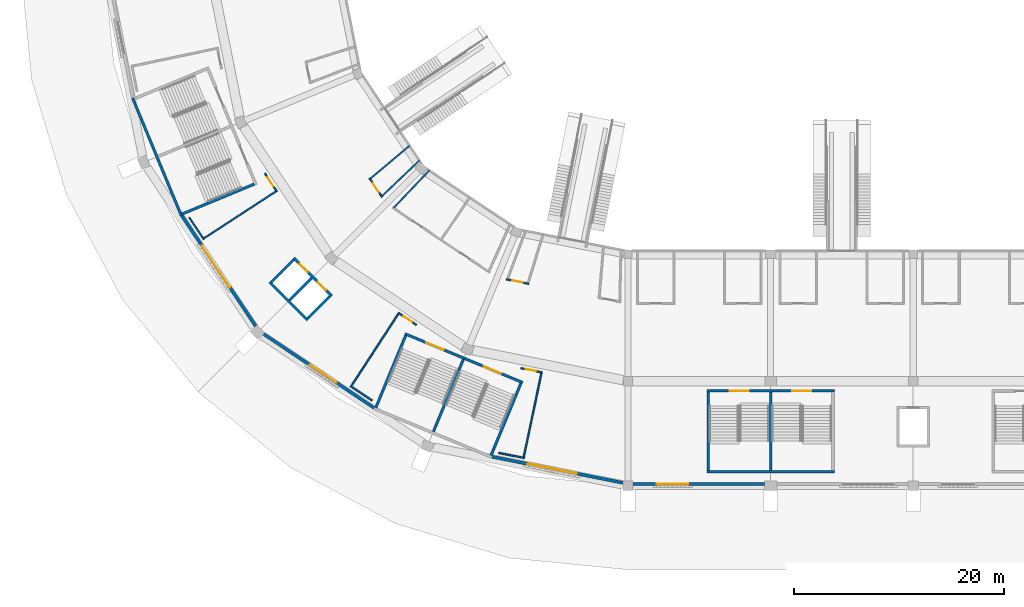
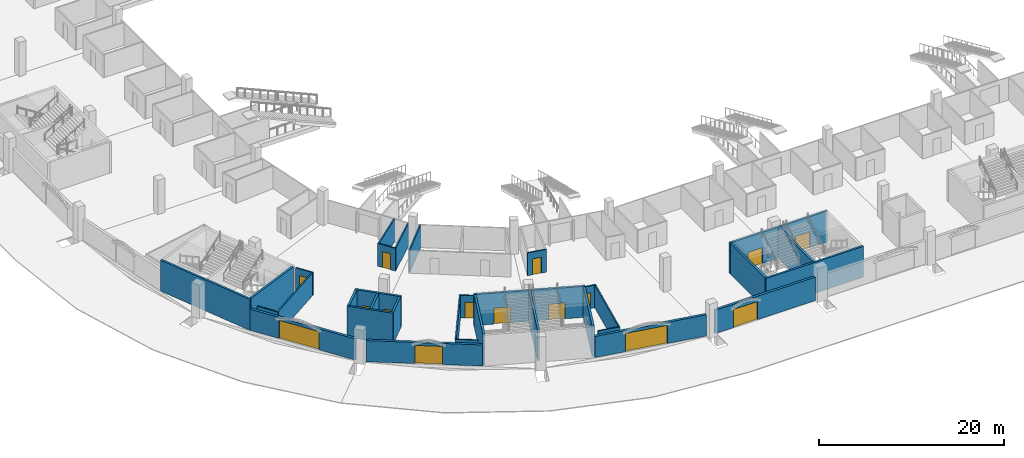
# One storey, part 25 of 175: 33 walls, 15 doors, 15 openings.
"""IFC4 building model written with IfcOpenShell, lengths in metres."""

from ifc_helpers import new_model, si_unit, direction, frame, frame_2d, origin, place, context, subcontext, project, spatial, rectangle, extrude, material, layer, layer_set, type_object, element, fill, save


model = new_model("IFC4")

# Units and contexts
model_context = context("Model", 3, precision=1e-05, world=origin(), true_north=direction((0.0, 1.0)))
body_context = subcontext(model_context, "Body", "Model", "MODEL_VIEW")
ifc_project = project(units=[si_unit("LENGTHUNIT", "METRE"), si_unit("AREAUNIT", "SQUARE_METRE"), si_unit("VOLUMEUNIT", "CUBIC_METRE"), si_unit("PLANEANGLEUNIT", "RADIAN"), si_unit("MASSUNIT", "GRAM", prefix="KILO")], contexts=[model_context])

# Site, building, storey
site_placement = place(None, origin())
site = spatial("IfcSite", under=ifc_project, at=site_placement, CompositionType="ELEMENT")
building_placement = place(site_placement, origin())
building = spatial("IfcBuilding", under=site, at=building_placement, Name="Ogive Plaza Stadium", CompositionType="ELEMENT")
storey_placement = place(building_placement, origin())
storey = spatial("IfcBuildingStorey", under=building, at=storey_placement, Name="L00", CompositionType="ELEMENT", Elevation=0.0)

# Wall, opening, door
ifc_material_1 = material(Name="Masonry blockwork", Category="masonry")
ifc_layer_1 = layer(ifc_material_1, 0.14990234375)
ifc_layer_set_1 = layer_set([ifc_layer_1], Name="Blockwork wall 150")
wall_type_1 = type_object("IfcWallType", Name="Blockwork wall 150", PredefinedType="SOLIDWALL", material=ifc_layer_set_1)
wall_1_placement = place(storey_placement, frame((-45.59912109375, -82.792724609375, 0.0), z_axis=(0.0, 0.0, 1.0), x_axis=(0.980788176969, -0.195075759432, 0.0)))
wall_1 = element("IfcWall", 1, at=wall_1_placement, inside=storey, type_object=wall_type_1, Name="Wall L00 B17", PredefinedType="SOLIDWALL", context=body_context, shape_type="SweptSolid", body=[
    extrude(rectangle(XDim=2.166259765625, YDim=0.14990234375, at=frame_2d((1.0830078125, 0.0))), origin(), (0.0, 0.0, 1.0), 3.0),
])
opening_1_placement = place(wall_1_placement, frame((0.583251953125, 0.0, 0.0)))
opening_1 = element("IfcOpeningElement", 2, at=opening_1_placement, cuts=wall_1, Name="Opening D0411", PredefinedType="OPENING", context=body_context, shape_type="SweptSolid", body=[
    extrude(rectangle(XDim=1.0, YDim=2.10009765625, at=frame_2d((0.5, 1.050048828125))), frame((0.0, 0.074951171875, 0.0), z_axis=(0.0, -1.0, 0.0), x_axis=(1.0, 0.0, 0.0)), (0.0, 0.0, 1.0), 0.14990234375),
])
ifc_material_2 = material(Name="Steel ASTM A572 Grade 50", Category="steel")
door_type_1 = type_object("IfcDoorType", Name="Door 1000 x 2100", OperationType="SINGLE_SWING_LEFT", PredefinedType="DOOR", material=ifc_material_2)
door_1_placement = place(opening_1_placement, origin())
door_1 = element("IfcDoor", 3, at=door_1_placement, inside=storey, type_object=door_type_1, Name="Concession Stand B17 door", OperationType="SINGLE_SWING_RIGHT", OverallHeight=2.10009765625, OverallWidth=1.0, PredefinedType="DOOR", context=body_context, shape_type="SweptSolid", body=[
    extrude(rectangle(XDim=1.0, YDim=2.10009765625, at=frame_2d((0.5, 1.050048828125))), frame((0.0, 0.02490234375, 0.0), z_axis=(0.0, -1.0, 0.0), x_axis=(1.0, 0.0, 0.0)), (0.0, 0.0, 1.0), 0.050048828125),
])
fill(opening_1, door_1)

# Wall
wall_2_placement = place(storey_placement, frame((-52.948974609375, -72.39501953125, 0.0), z_axis=(0.0, 0.0, 1.0), x_axis=(-0.689667606383, -0.724126088955, 0.0)))
element("IfcWall", 4, at=wall_2_placement, inside=storey, type_object=wall_type_1, Name="Wall L00 B18", PredefinedType="SOLIDWALL", context=body_context, shape_type="SweptSolid", body=[
    extrude(rectangle(XDim=4.90283203125, YDim=0.14990234375, at=frame_2d((2.451416015625, 0.0))), origin(), (0.0, 0.0, 1.0), 3.0),
])

# Wall, opening, door
wall_3_placement = place(storey_placement, frame((-54.188232421875, -87.1376953125, 0.0), z_axis=(0.0, 0.0, 1.0), x_axis=(-0.831435859109, 0.555620744921, 0.0)))
wall_3 = element("IfcWall", 5, at=wall_3_placement, inside=storey, type_object=wall_type_1, Name="Wall L00 B18", PredefinedType="SOLIDWALL", context=body_context, shape_type="SweptSolid", body=[
    extrude(rectangle(XDim=2.080078125, YDim=0.14990234375, at=frame_2d((1.0400390625, 0.0))), origin(), (0.0, 0.0, 1.0), 3.0),
])
opening_2_placement = place(wall_3_placement, frame((0.47216796875, 0.0, 0.0)))
opening_2 = element("IfcOpeningElement", 6, at=opening_2_placement, cuts=wall_3, Name="Opening D0416", PredefinedType="OPENING", context=body_context, shape_type="SweptSolid", body=[
    extrude(rectangle(XDim=1.0, YDim=2.10009765625, at=frame_2d((0.5, 1.050048828125))), frame((0.0, 0.074951171875, 0.0), z_axis=(0.0, -1.0, 0.0), x_axis=(1.0, 0.0, 0.0)), (0.0, 0.0, 1.0), 0.14990234375),
])
ifc_material_3 = material(Name="Steel ASTM A572 Grade 50", Category="steel")
door_type_2 = type_object("IfcDoorType", Name="Fire door FD60 1000 x 2100", OperationType="SINGLE_SWING_LEFT", PredefinedType="DOOR", material=ifc_material_3)
door_2_placement = place(opening_2_placement, origin())
door_2 = element("IfcDoor", 7, at=door_2_placement, inside=storey, type_object=door_type_2, Name="Merchandise Store B18 door", OperationType="SINGLE_SWING_RIGHT", OverallHeight=2.10009765625, OverallWidth=1.0, PredefinedType="DOOR", context=body_context, shape_type="SweptSolid", body=[
    extrude(rectangle(XDim=1.0, YDim=2.10009765625, at=frame_2d((0.5, 1.050048828125))), frame((0.0, 0.02490234375, 0.0), z_axis=(0.0, -1.0, 0.0), x_axis=(1.0, 0.0, 0.0)), (0.0, 0.0, 1.0), 0.050048828125),
])
fill(opening_2, door_2)

# Walls
wall_4_placement = place(storey_placement, frame((-58.39404296875, -94.353759765625, 0.0), z_axis=(0.0, 0.0, 1.0), x_axis=(-0.83145207432, 0.555596479569, 0.0)))
element("IfcWall", 8, at=wall_4_placement, inside=storey, type_object=wall_type_1, Name="Wall L00 B18", PredefinedType="SOLIDWALL", context=body_context, shape_type="SweptSolid", body=[
    extrude(rectangle(XDim=2.513427734375, YDim=0.14990234375, at=frame_2d((1.2568359375, 0.0))), origin(), (0.0, 0.0, 1.0), 3.0),
])
wall_5_placement = place(storey_placement, frame((-55.901611328125, -86.081298828125, 0.0), z_axis=(0.0, 0.0, 1.0), x_axis=(-0.546272327191, -0.837607631618, 0.0)))
element("IfcWall", 9, at=wall_5_placement, inside=storey, type_object=wall_type_1, Name="Wall L00 B18", PredefinedType="SOLIDWALL", context=body_context, shape_type="SweptSolid", body=[
    extrude(rectangle(XDim=8.18994140625, YDim=0.14990234375, at=frame_2d((4.094970703125, 0.0))), origin(), (0.0, 0.0, 1.0), 3.0),
])

# Wall, opening, door
wall_6_placement = place(storey_placement, frame((-68.6376953125, -72.688232421875, 0.0), z_axis=(0.0, 0.0, 1.0), x_axis=(0.555620744921, -0.831435859109, 0.0)))
wall_6 = element("IfcWall", 10, at=wall_6_placement, inside=storey, type_object=wall_type_1, Name="Wall L00 B19", PredefinedType="SOLIDWALL", context=body_context, shape_type="SweptSolid", body=[
    extrude(rectangle(XDim=2.080078125, YDim=0.14990234375, at=frame_2d((1.0400390625, 0.0))), origin(), (0.0, 0.0, 1.0), 3.0),
])
opening_3_placement = place(wall_6_placement, frame((0.47216796875, 0.0, 0.0)))
opening_3 = element("IfcOpeningElement", 11, at=opening_3_placement, cuts=wall_6, Name="Opening D0418", PredefinedType="OPENING", context=body_context, shape_type="SweptSolid", body=[
    extrude(rectangle(XDim=1.0, YDim=2.10009765625, at=frame_2d((0.5, 1.050048828125))), frame((0.0, 0.074951171875, 0.0), z_axis=(0.0, -1.0, 0.0), x_axis=(1.0, 0.0, 0.0)), (0.0, 0.0, 1.0), 0.14990234375),
])
door_3_placement = place(opening_3_placement, origin())
door_3 = element("IfcDoor", 12, at=door_3_placement, inside=storey, type_object=door_type_2, Name="Concession Store B19 door", OperationType="SINGLE_SWING_LEFT", OverallHeight=2.10009765625, OverallWidth=1.0, PredefinedType="DOOR", context=body_context, shape_type="SweptSolid", body=[
    extrude(rectangle(XDim=1.0, YDim=2.10009765625, at=frame_2d((0.5, 1.050048828125))), frame((0.0, 0.02490234375, 0.0), z_axis=(0.0, -1.0, 0.0), x_axis=(1.0, 0.0, 0.0)), (0.0, 0.0, 1.0), 0.050048828125),
])
fill(opening_3, door_3)

# Walls
wall_7_placement = place(storey_placement, frame((-75.853759765625, -76.89404296875, 0.0), z_axis=(0.0, 0.0, 1.0), x_axis=(0.555596479569, -0.83145207432, 0.0)))
element("IfcWall", 13, at=wall_7_placement, inside=storey, type_object=wall_type_1, Name="Wall L00 B19", PredefinedType="SOLIDWALL", context=body_context, shape_type="SweptSolid", body=[
    extrude(rectangle(XDim=2.513427734375, YDim=0.14990234375, at=frame_2d((1.2568359375, 0.0))), origin(), (0.0, 0.0, 1.0), 3.0),
])
wall_8_placement = place(storey_placement, frame((-67.581298828125, -74.401611328125, 0.0), z_axis=(0.0, 0.0, 1.0), x_axis=(-0.837607631618, -0.546272327191, 0.0)))
element("IfcWall", 14, at=wall_8_placement, inside=storey, type_object=wall_type_1, Name="Wall L00 B19", PredefinedType="SOLIDWALL", context=body_context, shape_type="SweptSolid", body=[
    extrude(rectangle(XDim=8.18994140625, YDim=0.14990234375, at=frame_2d((4.094970703125, 0.0))), origin(), (0.0, 0.0, 1.0), 3.0),
])

# Wall, openings, doors
ifc_material_4 = material(Name="Concrete C40/50", Category="concrete")
ifc_layer_2 = layer(ifc_material_4, 0.25)
ifc_layer_set_2 = layer_set([ifc_layer_2], Name="Concrete C40/50")
wall_type_2 = type_object("IfcWallType", Name="Core wall 250", PredefinedType="SHEAR", material=ifc_layer_set_2)
wall_9_placement = place(storey_placement, frame((-26.47509765625, -93.425048828125, 0.0), z_axis=(0.0, 0.0, 1.0), x_axis=(1.0, 0.0, 0.0)))
wall_9 = element("IfcWall", 15, at=wall_9_placement, inside=storey, type_object=wall_type_2, Name="Stair core R16 inner wall", PredefinedType="SHEAR", context=body_context, shape_type="SweptSolid", body=[
    extrude(rectangle(XDim=12.150146484375, YDim=0.25, at=frame_2d((6.0751953125, 0.0))), origin(), (0.0, 0.0, 1.0), 4.090087890625),
])
opening_4_placement = place(wall_9_placement, frame((2.199951171875, 0.0, 0.0)))
opening_4 = element("IfcOpeningElement", 16, at=opening_4_placement, cuts=wall_9, Name="Opening D0133", PredefinedType="OPENING", context=body_context, shape_type="SweptSolid", body=[
    extrude(rectangle(XDim=1.800048828125, YDim=2.10009765625, at=frame_2d((0.89990234375, 1.050048828125))), frame((0.0, 0.125, 0.0), z_axis=(0.0, -1.0, 0.0), x_axis=(1.0, 0.0, 0.0)), (0.0, 0.0, 1.0), 0.25),
])
opening_5_placement = place(wall_9_placement, frame((8.14990234375, 0.0, 0.0)))
opening_5 = element("IfcOpeningElement", 17, at=opening_5_placement, cuts=wall_9, Name="Opening D0134", PredefinedType="OPENING", context=body_context, shape_type="SweptSolid", body=[
    extrude(rectangle(XDim=1.800048828125, YDim=2.10009765625, at=frame_2d((0.89990234375, 1.050048828125))), frame((0.0, 0.125, 0.0), z_axis=(0.0, -1.0, 0.0), x_axis=(1.0, 0.0, 0.0)), (0.0, 0.0, 1.0), 0.25),
])
ifc_material_5 = material(Name="Steel ASTM A572 Grade 50", Category="steel")
door_type_3 = type_object("IfcDoorType", Name="Fire door FD90 pair 1800 x 2100", OperationType="DOUBLE_DOOR_SINGLE_SWING", PredefinedType="DOOR", material=ifc_material_5)
door_4_placement = place(opening_4_placement, origin())
door_4 = element("IfcDoor", 18, at=door_4_placement, inside=storey, type_object=door_type_3, Name="Exit stair R16A door L00", OperationType="DOUBLE_DOOR_SINGLE_SWING", OverallHeight=2.10009765625, OverallWidth=1.800048828125, PredefinedType="DOOR", context=body_context, shape_type="SweptSolid", body=[
    extrude(rectangle(XDim=1.800048828125, YDim=2.10009765625, at=frame_2d((0.89990234375, 1.050048828125))), frame((0.0, 0.02490234375, 0.0), z_axis=(0.0, -1.0, 0.0), x_axis=(1.0, 0.0, 0.0)), (0.0, 0.0, 1.0), 0.050048828125),
])
fill(opening_4, door_4)
door_5_placement = place(opening_5_placement, origin())
door_5 = element("IfcDoor", 19, at=door_5_placement, inside=storey, type_object=door_type_3, Name="Exit stair R16B door L00", OperationType="DOUBLE_DOOR_SINGLE_SWING", OverallHeight=2.10009765625, OverallWidth=1.800048828125, PredefinedType="DOOR", context=body_context, shape_type="SweptSolid", body=[
    extrude(rectangle(XDim=1.800048828125, YDim=2.10009765625, at=frame_2d((0.89990234375, 1.050048828125))), frame((0.0, 0.02490234375, 0.0), z_axis=(0.0, -1.0, 0.0), x_axis=(1.0, 0.0, 0.0)), (0.0, 0.0, 1.0), 0.050048828125),
])
fill(opening_5, door_5)

# Walls
wall_10_placement = place(storey_placement, frame((-26.47509765625, -101.135009765625, 0.0), z_axis=(0.0, 0.0, 1.0), x_axis=(1.0, 0.0, 0.0)))
element("IfcWall", 20, at=wall_10_placement, inside=storey, type_object=wall_type_2, Name="Stair core R16 outer wall", PredefinedType="SHEAR", context=body_context, shape_type="SweptSolid", body=[
    extrude(rectangle(XDim=12.150146484375, YDim=0.25, at=frame_2d((6.0751953125, 0.0))), origin(), (0.0, 0.0, 1.0), 4.090087890625),
])
for number, where, z_axis, x_axis, name in (
    (21, (-26.35009765625, -93.550048828125, 0.0), (0.0, 0.0, 1.0), (0.0, -1.0, 0.0), "Stair core R16 side wall"),
    (22, (-20.39990234375, -93.550048828125, 0.0), (0.0, 0.0, 1.0), (0.0, -1.0, 0.0), "Stair core R16 centre wall"),
):
    element("IfcWall", number, at=place(storey_placement, frame(where, z_axis=z_axis, x_axis=x_axis)), inside=storey, type_object=wall_type_2, Name=name, PredefinedType="SHEAR", context=body_context, shape_type="SweptSolid", body=[
        extrude(rectangle(XDim=7.4599609375, YDim=0.25, at=frame_2d((3.72998046875, 0.0))), origin(), (0.0, 0.0, 1.0), 4.090087890625),
    ])

# Wall, openings, doors
wall_11_placement = place(storey_placement, frame((-55.27392578125, -87.98486328125, 0.0), z_axis=(0.0, 0.0, 1.0), x_axis=(0.923877480578, -0.382688386133, 0.0)))
wall_11 = element("IfcWall", 23, at=wall_11_placement, inside=storey, type_object=wall_type_2, Name="Stair core R18 inner wall", PredefinedType="SHEAR", context=body_context, shape_type="SweptSolid", body=[
    extrude(rectangle(XDim=12.14990234375, YDim=0.25, at=frame_2d((6.074951171875, 0.0))), origin(), (0.0, 0.0, 1.0), 4.090087890625),
])
opening_6_placement = place(wall_11_placement, frame((2.199951171875, 0.0, 0.0)))
opening_6 = element("IfcOpeningElement", 24, at=opening_6_placement, cuts=wall_11, Name="Opening D0145", PredefinedType="OPENING", context=body_context, shape_type="SweptSolid", body=[
    extrude(rectangle(XDim=1.800048828125, YDim=2.10009765625, at=frame_2d((0.89990234375, 1.050048828125))), frame((0.0, 0.125, 0.0), z_axis=(0.0, -1.0, 0.0), x_axis=(1.0, 0.0, 0.0)), (0.0, 0.0, 1.0), 0.25),
])
opening_7_placement = place(wall_11_placement, frame((8.14990234375, 0.0, 0.0)))
opening_7 = element("IfcOpeningElement", 25, at=opening_7_placement, cuts=wall_11, Name="Opening D0146", PredefinedType="OPENING", context=body_context, shape_type="SweptSolid", body=[
    extrude(rectangle(XDim=1.800048828125, YDim=2.10009765625, at=frame_2d((0.89990234375, 1.050048828125))), frame((0.0, 0.125, 0.0), z_axis=(0.0, -1.0, 0.0), x_axis=(1.0, 0.0, 0.0)), (0.0, 0.0, 1.0), 0.25),
])
door_6_placement = place(opening_6_placement, origin())
door_6 = element("IfcDoor", 26, at=door_6_placement, inside=storey, type_object=door_type_3, Name="Exit stair R18A door L00", OperationType="DOUBLE_DOOR_SINGLE_SWING", OverallHeight=2.10009765625, OverallWidth=1.800048828125, PredefinedType="DOOR", context=body_context, shape_type="SweptSolid", body=[
    extrude(rectangle(XDim=1.800048828125, YDim=2.10009765625, at=frame_2d((0.89990234375, 1.050048828125))), frame((0.0, 0.02490234375, 0.0), z_axis=(0.0, -1.0, 0.0), x_axis=(1.0, 0.0, 0.0)), (0.0, 0.0, 1.0), 0.050048828125),
])
fill(opening_6, door_6)
door_7_placement = place(opening_7_placement, origin())
door_7 = element("IfcDoor", 27, at=door_7_placement, inside=storey, type_object=door_type_3, Name="Exit stair R18B door L00", OperationType="DOUBLE_DOOR_SINGLE_SWING", OverallHeight=2.10009765625, OverallWidth=1.800048828125, PredefinedType="DOOR", context=body_context, shape_type="SweptSolid", body=[
    extrude(rectangle(XDim=1.800048828125, YDim=2.10009765625, at=frame_2d((0.89990234375, 1.050048828125))), frame((0.0, 0.02490234375, 0.0), z_axis=(0.0, -1.0, 0.0), x_axis=(1.0, 0.0, 0.0)), (0.0, 0.0, 1.0), 0.050048828125),
])
fill(opening_7, door_7)

# Walls
for number, where, z_axis, x_axis, name in (
    (28, (-55.206298828125, -88.148193359375, 0.0), (0.0, 0.0, 1.0), (-0.382664910245, -0.923887204407, 0.0), "Stair core R18 side wall"),
    (29, (-44.212158203125, -92.7021484375, 0.0), (0.0, 0.0, 1.0), (-0.382664910245, -0.923887204407, 0.0), "Stair core R18 side wall"),
):
    element("IfcWall", number, at=place(storey_placement, frame(where, z_axis=z_axis, x_axis=x_axis)), inside=storey, type_object=wall_type_2, Name=name, PredefinedType="SHEAR", context=body_context, shape_type="SweptSolid", body=[
        extrude(rectangle(XDim=7.460205078125, YDim=0.25, at=frame_2d((3.72998046875, 0.0))), origin(), (0.0, 0.0, 1.0), 4.090087890625),
    ])
wall_12_placement = place(storey_placement, frame((-49.709228515625, -90.42529296875, 0.0), z_axis=(0.0, 0.0, 1.0), x_axis=(-0.382676480483, -0.923882412044, 0.0)))
element("IfcWall", 30, at=wall_12_placement, inside=storey, type_object=wall_type_2, Name="Stair core R18 centre wall", PredefinedType="SHEAR", context=body_context, shape_type="SweptSolid", body=[
    extrude(rectangle(XDim=7.4599609375, YDim=0.25, at=frame_2d((3.72998046875, 0.0))), origin(), (0.0, 0.0, 1.0), 4.090087890625),
])
wall_13_placement = place(storey_placement, frame((-81.257568359375, -65.499267578125, 0.0), z_axis=(0.0, 0.0, 1.0), x_axis=(0.382671234792, -0.923884584817, 0.0)))
element("IfcWall", 31, at=wall_13_placement, inside=storey, type_object=wall_type_2, Name="Stair core R20 outer wall", PredefinedType="SHEAR", context=body_context, shape_type="SweptSolid", body=[
    extrude(rectangle(XDim=12.14990234375, YDim=0.25, at=frame_2d((6.074951171875, 0.0))), origin(), (0.0, 0.0, 1.0), 4.090087890625),
])
wall_14_placement = place(storey_placement, frame((-69.648193359375, -73.706298828125, 0.0), z_axis=(0.0, 0.0, 1.0), x_axis=(-0.923887204407, -0.382664910245, 0.0)))
element("IfcWall", 32, at=wall_14_placement, inside=storey, type_object=wall_type_2, Name="Stair core R20 side wall", PredefinedType="SHEAR", context=body_context, shape_type="SweptSolid", body=[
    extrude(rectangle(XDim=7.460205078125, YDim=0.25, at=frame_2d((3.72998046875, 0.0))), origin(), (0.0, 0.0, 1.0), 4.090087890625),
])

# Wall, openings, doors
wall_15_placement = place(storey_placement, frame((-65.890625, -80.7490234375, 0.0), z_axis=(0.0, 0.0, 1.0), x_axis=(0.707106781187, -0.707106781187, 0.0)))
wall_15 = element("IfcWall", 33, at=wall_15_placement, inside=storey, type_object=wall_type_2, Name="Lift core LP19 landing wall", PredefinedType="SHEAR", context=body_context, shape_type="SweptSolid", body=[
    extrude(rectangle(XDim=5.14990234375, YDim=0.25, at=frame_2d((2.574951171875, 0.0))), origin(), (0.0, 0.0, 1.0), 4.090087890625),
])
opening_8_placement = place(wall_15_placement, frame((0.800048828125, 0.0, 0.0)))
opening_8 = element("IfcOpeningElement", 34, at=opening_8_placement, cuts=wall_15, Name="Opening LD044", PredefinedType="OPENING", context=body_context, shape_type="SweptSolid", body=[
    extrude(rectangle(XDim=1.10009765625, YDim=2.10009765625, at=frame_2d((0.550048828125, 1.050048828125))), frame((0.0, 0.125, 0.0), z_axis=(0.0, -1.0, 0.0), x_axis=(1.0, 0.0, 0.0)), (0.0, 0.0, 1.0), 0.25),
])
opening_9_placement = place(wall_15_placement, frame((3.25, 0.0, 0.0)))
opening_9 = element("IfcOpeningElement", 35, at=opening_9_placement, cuts=wall_15, Name="Opening LD045", PredefinedType="OPENING", context=body_context, shape_type="SweptSolid", body=[
    extrude(rectangle(XDim=1.10009765625, YDim=2.10009765625, at=frame_2d((0.550048828125, 1.050048828125))), frame((0.0, 0.125, 0.0), z_axis=(0.0, -1.0, 0.0), x_axis=(1.0, 0.0, 0.0)), (0.0, 0.0, 1.0), 0.25),
])
ifc_material_6 = material(Name="Steel ASTM A572 Grade 50", Category="steel")
door_type_4 = type_object("IfcDoorType", Name="Landing door 1100 x 2100", OperationType="SLIDING_TO_LEFT", PredefinedType="DOOR", material=ifc_material_6)
door_8_placement = place(opening_8_placement, origin())
door_8 = element("IfcDoor", 36, at=door_8_placement, inside=storey, type_object=door_type_4, Name="Lift landing door LP19 L00", OperationType="SLIDING_TO_LEFT", OverallHeight=2.10009765625, OverallWidth=1.10009765625, PredefinedType="DOOR", context=body_context, shape_type="SweptSolid", body=[
    extrude(rectangle(XDim=1.10009765625, YDim=2.10009765625, at=frame_2d((0.550048828125, 1.050048828125))), frame((0.0, 0.02490234375, 0.0), z_axis=(0.0, -1.0, 0.0), x_axis=(1.0, 0.0, 0.0)), (0.0, 0.0, 1.0), 0.050048828125),
])
fill(opening_8, door_8)
door_9_placement = place(opening_9_placement, origin())
door_9 = element("IfcDoor", 37, at=door_9_placement, inside=storey, type_object=door_type_4, Name="Lift landing door LP19 L00", OperationType="SLIDING_TO_LEFT", OverallHeight=2.10009765625, OverallWidth=1.10009765625, PredefinedType="DOOR", context=body_context, shape_type="SweptSolid", body=[
    extrude(rectangle(XDim=1.10009765625, YDim=2.10009765625, at=frame_2d((0.550048828125, 1.050048828125))), frame((0.0, 0.02490234375, 0.0), z_axis=(0.0, -1.0, 0.0), x_axis=(1.0, 0.0, 0.0)), (0.0, 0.0, 1.0), 0.050048828125),
])
fill(opening_9, door_9)

# Walls
wall_16_placement = place(storey_placement, frame((-68.188720703125, -83.047119140625, 0.0), z_axis=(0.0, 0.0, 1.0), x_axis=(0.707106781187, -0.707106781187, 0.0)))
element("IfcWall", 38, at=wall_16_placement, inside=storey, type_object=wall_type_2, Name="Lift core LP19 rear wall", PredefinedType="SHEAR", context=body_context, shape_type="SweptSolid", body=[
    extrude(rectangle(XDim=5.14990234375, YDim=0.25, at=frame_2d((2.574951171875, 0.0))), origin(), (0.0, 0.0, 1.0), 4.090087890625),
])
for number, where, z_axis, x_axis, name in (
    (39, (-65.890625, -80.92578125, 0.0), (0.0, 0.0, 1.0), (-0.707066087907, -0.707147472125, 0.0), "Lift core LP19 side wall"),
    (40, (-62.42578125, -84.390625, 0.0), (0.0, 0.0, 1.0), (-0.707147472125, -0.707066087907, 0.0), "Lift core LP19 side wall"),
):
    element("IfcWall", number, at=place(storey_placement, frame(where, z_axis=z_axis, x_axis=x_axis)), inside=storey, type_object=wall_type_2, Name=name, PredefinedType="SHEAR", context=body_context, shape_type="SweptSolid", body=[
        extrude(rectangle(XDim=2.999755859375, YDim=0.25, at=frame_2d((1.5, 0.0))), origin(), (0.0, 0.0, 1.0), 4.090087890625),
    ])
wall_17_placement = place(storey_placement, frame((-64.158203125, -82.658203125, 0.0), z_axis=(0.0, 0.0, 1.0), x_axis=(-0.707106781187, -0.707106781187, 0.0)))
element("IfcWall", 41, at=wall_17_placement, inside=storey, type_object=wall_type_2, Name="Lift core LP19 centre wall", PredefinedType="SHEAR", context=body_context, shape_type="SweptSolid", body=[
    extrude(rectangle(XDim=3.0, YDim=0.25, at=frame_2d((1.5, 0.0))), origin(), (0.0, 0.0, 1.0), 4.090087890625),
])

# Wall, opening, door
ifc_material_7 = material(Name="Gypsum board partition", Category="gypsum")
ifc_layer_3 = layer(ifc_material_7, 0.14990234375)
ifc_layer_set_3 = layer_set([ifc_layer_3], Name="Partition 150")
wall_type_3 = type_object("IfcWallType", Name="Partition 150", PredefinedType="PARTITIONING", material=ifc_layer_set_3)
wall_18_placement = place(storey_placement, frame((-44.21728515625, -91.267578125, 0.0), z_axis=(0.0, 0.0, 1.0), x_axis=(0.980769797582, -0.195168143279, 0.0)))
wall_18 = element("IfcWall", 42, at=wall_18_placement, inside=storey, type_object=wall_type_3, Name="Wall L00 B17", PredefinedType="PARTITIONING", context=body_context, shape_type="SweptSolid", body=[
    extrude(rectangle(XDim=2.080322265625, YDim=0.14990234375, at=frame_2d((1.0400390625, 0.0))), origin(), (0.0, 0.0, 1.0), 3.0),
])
opening_10_placement = place(wall_18_placement, frame((0.47216796875, 0.0, 0.0)))
opening_10 = element("IfcOpeningElement", 43, at=opening_10_placement, cuts=wall_18, Name="Opening D0413", PredefinedType="OPENING", context=body_context, shape_type="SweptSolid", body=[
    extrude(rectangle(XDim=1.0, YDim=2.10009765625, at=frame_2d((0.5, 1.050048828125))), frame((0.0, 0.074951171875, 0.0), z_axis=(0.0, -1.0, 0.0), x_axis=(1.0, 0.0, 0.0)), (0.0, 0.0, 1.0), 0.14990234375),
])
door_10_placement = place(opening_10_placement, origin())
door_10 = element("IfcDoor", 44, at=door_10_placement, inside=storey, type_object=door_type_1, Name="Security Office B17 door", OperationType="SINGLE_SWING_RIGHT", OverallHeight=2.10009765625, OverallWidth=1.0, PredefinedType="DOOR", context=body_context, shape_type="SweptSolid", body=[
    extrude(rectangle(XDim=1.0, YDim=2.10009765625, at=frame_2d((0.5, 1.050048828125))), frame((0.0, 0.02490234375, 0.0), z_axis=(0.0, -1.0, 0.0), x_axis=(1.0, 0.0, 0.0)), (0.0, 0.0, 1.0), 0.050048828125),
])
fill(opening_10, door_10)

# Walls
wall_19_placement = place(storey_placement, frame((-46.345947265625, -99.34423828125, 0.0), z_axis=(0.0, 0.0, 1.0), x_axis=(0.980778163577, -0.195126097309, 0.0)))
element("IfcWall", 45, at=wall_19_placement, inside=storey, type_object=wall_type_3, Name="Wall L00 B17", PredefinedType="PARTITIONING", context=body_context, shape_type="SweptSolid", body=[
    extrude(rectangle(XDim=2.513671875, YDim=0.14990234375, at=frame_2d((1.2568359375, 0.0))), origin(), (0.0, 0.0, 1.0), 3.0),
])
wall_20_placement = place(storey_placement, frame((-42.2587890625, -91.732177734375, 0.0), z_axis=(0.0, 0.0, 1.0), x_axis=(-0.206011983374, -0.978549468707, 0.0)))
element("IfcWall", 46, at=wall_20_placement, inside=storey, type_object=wall_type_3, Name="Wall L00 B17", PredefinedType="PARTITIONING", context=body_context, shape_type="SweptSolid", body=[
    extrude(rectangle(XDim=8.190185546875, YDim=0.14990234375, at=frame_2d((4.09521484375, 0.0))), origin(), (0.0, 0.0, 1.0), 3.0),
])

# Wall, opening, door
wall_21_placement = place(storey_placement, frame((-58.65771484375, -73.14794921875, 0.0), z_axis=(0.0, 0.0, 1.0), x_axis=(0.555584101735, -0.831460345356, 0.0)))
wall_21 = element("IfcWall", 47, at=wall_21_placement, inside=storey, type_object=wall_type_3, Name="Wall L00 B19", PredefinedType="PARTITIONING", context=body_context, shape_type="SweptSolid", body=[
    extrude(rectangle(XDim=2.16650390625, YDim=0.14990234375, at=frame_2d((1.083251953125, 0.0))), origin(), (0.0, 0.0, 1.0), 3.0),
])
opening_11_placement = place(wall_21_placement, frame((0.583251953125, 0.0, 0.0)))
opening_11 = element("IfcOpeningElement", 48, at=opening_11_placement, cuts=wall_21, Name="Opening D0417", PredefinedType="OPENING", context=body_context, shape_type="SweptSolid", body=[
    extrude(rectangle(XDim=1.0, YDim=2.10009765625, at=frame_2d((0.5, 1.050048828125))), frame((0.0, 0.074951171875, 0.0), z_axis=(0.0, -1.0, 0.0), x_axis=(1.0, 0.0, 0.0)), (0.0, 0.0, 1.0), 0.14990234375),
])
door_11_placement = place(opening_11_placement, origin())
door_11 = element("IfcDoor", 49, at=door_11_placement, inside=storey, type_object=door_type_1, Name="First Aid Room B19 door", OperationType="SINGLE_SWING_LEFT", OverallHeight=2.10009765625, OverallWidth=1.0, PredefinedType="DOOR", context=body_context, shape_type="SweptSolid", body=[
    extrude(rectangle(XDim=1.0, YDim=2.10009765625, at=frame_2d((0.5, 1.050048828125))), frame((0.0, 0.02490234375, 0.0), z_axis=(0.0, -1.0, 0.0), x_axis=(1.0, 0.0, 0.0)), (0.0, 0.0, 1.0), 0.050048828125),
])
fill(opening_11, door_11)

# Walls
wall_22_placement = place(storey_placement, frame((-54.837646484375, -70.038330078125, 0.0), z_axis=(0.0, 0.0, 1.0), x_axis=(-0.765066193523, -0.64395164378, 0.0)))
element("IfcWall", 50, at=wall_22_placement, inside=storey, type_object=wall_type_3, Name="Wall L00 B19", PredefinedType="PARTITIONING", context=body_context, shape_type="SweptSolid", body=[
    extrude(rectangle(XDim=4.860107421875, YDim=0.14990234375, at=frame_2d((2.43017578125, 0.0))), origin(), (0.0, 0.0, 1.0), 3.0),
])
wall_23_placement = place(storey_placement, frame((-53.89501953125, -71.448974609375, 0.0), z_axis=(0.0, 0.0, 1.0), x_axis=(-0.724126088955, -0.689667606383, 0.0)))
element("IfcWall", 51, at=wall_23_placement, inside=storey, type_object=wall_type_3, Name="Wall L00 B19", PredefinedType="PARTITIONING", context=body_context, shape_type="SweptSolid", body=[
    extrude(rectangle(XDim=4.90283203125, YDim=0.14990234375, at=frame_2d((2.451416015625, 0.0))), origin(), (0.0, 0.0, 1.0), 3.0),
])

# Wall, opening, door
ifc_material_8 = material(Name="Concrete C45/55 precast", Category="concrete")
ifc_layer_4 = layer(ifc_material_8, 0.25)
ifc_material_9 = material(Name="Cast stone (reconstituted limestone)", Category="masonry")
ifc_layer_5 = layer(ifc_material_9, 0.050048828125)
ifc_layer_set_4 = layer_set([ifc_layer_4, ifc_layer_5], Name="Concrete C45/55 precast, cast stone facing")
wall_type_4 = type_object("IfcWallType", Name="Portal infill wall 300", PredefinedType="SOLIDWALL", material=ifc_layer_set_4)
wall_24_placement = place(storey_placement, frame((-21.0, -102.300048828125, 0.0), z_axis=(0.0, 0.0, 1.0), x_axis=(-1.0, 0.0, 0.0)))
wall_24 = element("IfcWall", 52, at=wall_24_placement, inside=storey, type_object=wall_type_4, Name="PORTAL WALL B16", PredefinedType="SOLIDWALL", context=body_context, shape_type="SweptSolid", body=[
    extrude(rectangle(XDim=12.5, YDim=0.300048828125, at=frame_2d((6.25, 0.0))), origin(), (0.0, 0.0, 1.0), 3.090087890625),
])
opening_12_placement = place(wall_24_placement, frame((7.237548828125, 0.0, 0.0)))
opening_12 = element("IfcOpeningElement", 53, at=opening_12_placement, cuts=wall_24, Name="Opening D0016", PredefinedType="OPENING", context=body_context, shape_type="SweptSolid", body=[
    extrude(rectangle(XDim=3.0, YDim=2.39990234375, at=frame_2d((1.5, 1.199951171875))), frame((0.0, 0.16015625, 0.0), z_axis=(0.0, -1.0, 0.0), x_axis=(1.0, 0.0, 0.0)), (0.0, 0.0, 1.0), 0.320068359375),
])
ifc_material_10 = material(Name="Bronze-anodised aluminium and laminated glass", Category="aluminium")
door_type_5 = type_object("IfcDoorType", Name="Exit gate door pair 3000 x 2400", OperationType="DOUBLE_DOOR_SINGLE_SWING", PredefinedType="DOOR", material=ifc_material_10)
door_12_placement = place(opening_12_placement, origin())
door_12 = element("IfcDoor", 54, at=door_12_placement, inside=storey, type_object=door_type_5, Name="Pedestrian exit gate G8", OperationType="DOUBLE_DOOR_SINGLE_SWING", OverallHeight=2.39990234375, OverallWidth=3.0, PredefinedType="DOOR", context=body_context, shape_type="SweptSolid", body=[
    extrude(rectangle(XDim=3.0, YDim=2.39990234375, at=frame_2d((1.5, 1.199951171875))), frame((0.0, 0.02490234375, 0.0), z_axis=(0.0, -1.0, 0.0), x_axis=(1.0, 0.0, 0.0)), (0.0, 0.0, 1.0), 0.050048828125),
])
fill(opening_12, door_12)

ifc_material_11 = material(Name="Concrete C45/55 precast", Category="concrete")
ifc_layer_6 = layer(ifc_material_11, 0.25)
ifc_material_12 = material(Name="Cast stone (reconstituted limestone)", Category="masonry")
ifc_layer_7 = layer(ifc_material_12, 0.050048828125)
ifc_layer_set_5 = layer_set([ifc_layer_6, ifc_layer_7], Name="Concrete C45/55 precast, cast stone facing")
wall_type_5 = type_object("IfcWallType", Name="Portal infill wall 300 A", PredefinedType="SOLIDWALL", material=ifc_layer_set_5)
wall_25_placement = place(storey_placement, frame((-34.5, -102.196533203125, 0.0), z_axis=(0.0, 0.0, 1.0), x_axis=(-0.980786240062, 0.195085497421, 0.0)))
wall_25 = element("IfcWall", 55, at=wall_25_placement, inside=storey, type_object=wall_type_5, Name="PORTAL WALL B17", PredefinedType="SOLIDWALL", context=body_context, shape_type="SweptSolid", body=[
    extrude(rectangle(XDim=12.7109375, YDim=0.300048828125, at=frame_2d((6.35546875, 0.0))), origin(), (0.0, 0.0, 1.0), 2.7900390625),
])
opening_13_placement = place(wall_25_placement, frame((4.462646484375, 0.0, 0.0)))
opening_13 = element("IfcOpeningElement", 56, at=opening_13_placement, cuts=wall_25, Name="Opening D0017", PredefinedType="OPENING", context=body_context, shape_type="SweptSolid", body=[
    extrude(rectangle(XDim=4.800048828125, YDim=2.39990234375, at=frame_2d((2.39990234375, 1.199951171875))), frame((0.0, 0.16015625, 0.0), z_axis=(0.0, -1.0, 0.0), x_axis=(1.0, 0.0, 0.0)), (0.0, 0.0, 1.0), 0.320068359375),
])
ifc_material_13 = material(Name="Bronze-anodised aluminium and laminated glass", Category="aluminium")
door_type_6 = type_object("IfcDoorType", Name="Entrance door pair 4800 x 2400", OperationType="DOUBLE_DOOR_SINGLE_SWING", PredefinedType="DOOR", material=ifc_material_13)
door_13_placement = place(opening_13_placement, origin())
door_13 = element("IfcDoor", 57, at=door_13_placement, inside=storey, type_object=door_type_6, Name="Main entrance E9", OperationType="DOUBLE_DOOR_SINGLE_SWING", OverallHeight=2.39990234375, OverallWidth=4.800048828125, PredefinedType="DOOR", context=body_context, shape_type="SweptSolid", body=[
    extrude(rectangle(XDim=4.800048828125, YDim=2.39990234375, at=frame_2d((2.39990234375, 1.199951171875))), frame((0.0, 0.02490234375, 0.0), z_axis=(0.0, -1.0, 0.0), x_axis=(1.0, 0.0, 0.0)), (0.0, 0.0, 1.0), 0.050048828125),
])
fill(opening_13, door_13)

wall_26_placement = place(storey_placement, frame((-58.218505859375, -95.05615234375, 0.0), z_axis=(0.0, 0.0, 1.0), x_axis=(-0.831471306232, 0.555567697867, 0.0)))
wall_26 = element("IfcWall", 58, at=wall_26_placement, inside=storey, type_object=wall_type_5, Name="PORTAL WALL B18", PredefinedType="SOLIDWALL", context=body_context, shape_type="SweptSolid", body=[
    extrude(rectangle(XDim=12.659912109375, YDim=0.300048828125, at=frame_2d((6.330078125, 0.0))), origin(), (0.0, 0.0, 1.0), 2.7900390625),
])
opening_14_placement = place(wall_26_placement, frame((4.3486328125, 0.0, 0.0)))
opening_14 = element("IfcOpeningElement", 59, at=opening_14_placement, cuts=wall_26, Name="Opening D0018", PredefinedType="OPENING", context=body_context, shape_type="SweptSolid", body=[
    extrude(rectangle(XDim=3.0, YDim=2.39990234375, at=frame_2d((1.5, 1.199951171875))), frame((0.0, 0.16015625, 0.0), z_axis=(0.0, -1.0, 0.0), x_axis=(1.0, 0.0, 0.0)), (0.0, 0.0, 1.0), 0.320068359375),
])
door_14_placement = place(opening_14_placement, origin())
door_14 = element("IfcDoor", 60, at=door_14_placement, inside=storey, type_object=door_type_5, Name="Pedestrian exit gate G9", OperationType="DOUBLE_DOOR_SINGLE_SWING", OverallHeight=2.39990234375, OverallWidth=3.0, PredefinedType="DOOR", context=body_context, shape_type="SweptSolid", body=[
    extrude(rectangle(XDim=3.0, YDim=2.39990234375, at=frame_2d((1.5, 1.199951171875))), frame((0.0, 0.02490234375, 0.0), z_axis=(0.0, -1.0, 0.0), x_axis=(1.0, 0.0, 0.0)), (0.0, 0.0, 1.0), 0.050048828125),
])
fill(opening_14, door_14)

wall_27_placement = place(storey_placement, frame((-69.522705078125, -87.244873046875, 0.0), z_axis=(0.0, 0.0, 1.0), x_axis=(-0.555575571867, 0.831466044974, 0.0)))
wall_27 = element("IfcWall", 61, at=wall_27_placement, inside=storey, type_object=wall_type_5, Name="PORTAL WALL B19", PredefinedType="SOLIDWALL", context=body_context, shape_type="SweptSolid", body=[
    extrude(rectangle(XDim=12.6748046875, YDim=0.300048828125, at=frame_2d((6.33740234375, 0.0))), origin(), (0.0, 0.0, 1.0), 2.7900390625),
])
opening_15_placement = place(wall_27_placement, frame((4.41162109375, 0.0, 0.0)))
opening_15 = element("IfcOpeningElement", 62, at=opening_15_placement, cuts=wall_27, Name="Opening D0019", PredefinedType="OPENING", context=body_context, shape_type="SweptSolid", body=[
    extrude(rectangle(XDim=4.800048828125, YDim=2.39990234375, at=frame_2d((2.39990234375, 1.199951171875))), frame((0.0, 0.16015625, 0.0), z_axis=(0.0, -1.0, 0.0), x_axis=(1.0, 0.0, 0.0)), (0.0, 0.0, 1.0), 0.320068359375),
])
door_15_placement = place(opening_15_placement, origin())
door_15 = element("IfcDoor", 63, at=door_15_placement, inside=storey, type_object=door_type_6, Name="Main entrance E10", OperationType="DOUBLE_DOOR_SINGLE_SWING", OverallHeight=2.39990234375, OverallWidth=4.800048828125, PredefinedType="DOOR", context=body_context, shape_type="SweptSolid", body=[
    extrude(rectangle(XDim=4.800048828125, YDim=2.39990234375, at=frame_2d((2.39990234375, 1.199951171875))), frame((0.0, 0.02490234375, 0.0), z_axis=(0.0, -1.0, 0.0), x_axis=(1.0, 0.0, 0.0)), (0.0, 0.0, 1.0), 0.050048828125),
])
fill(opening_15, door_15)

save(model, "model.ifc")
